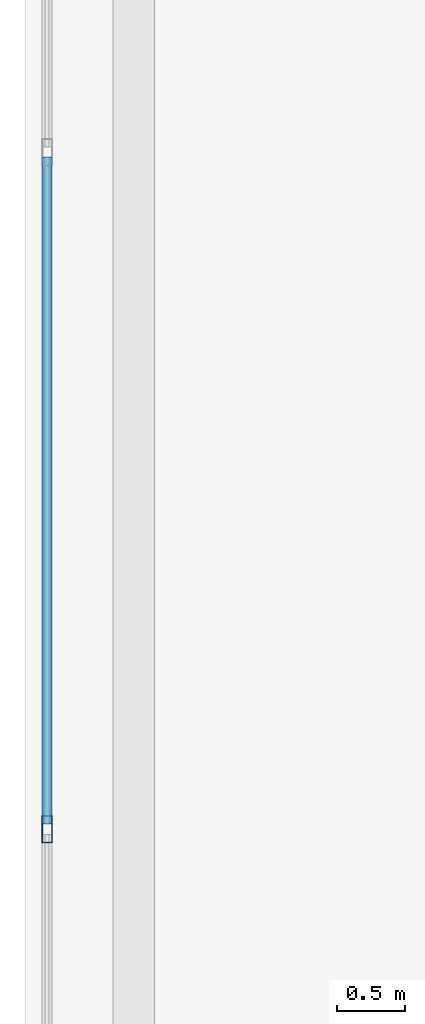
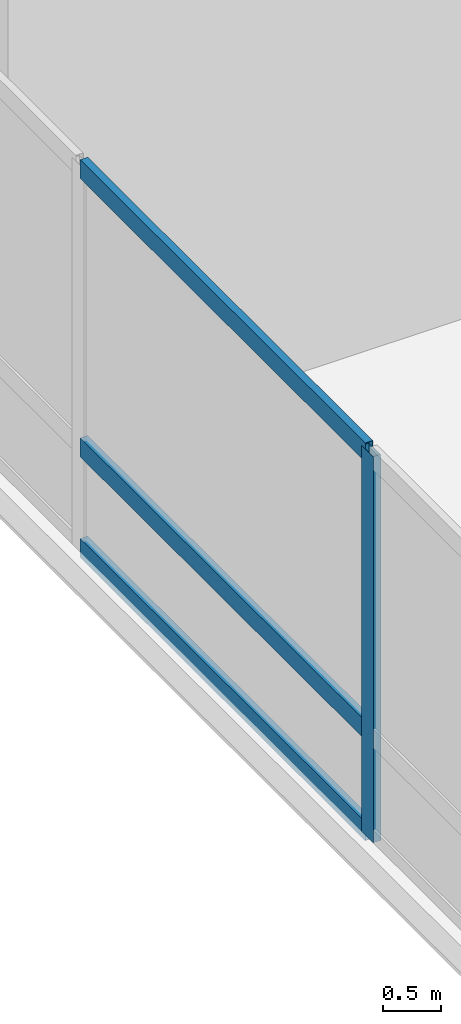
# One storey, part 6 of 40: 4 members, 1 element without a shape of its own.
"""IFC4 building model written with IfcOpenShell, lengths in metres."""

from ifc_helpers import new_model, si_unit, direction, frame, origin, origin_2d, place, context, subcontext, project, spatial, hollow_rectangle, extrude, material, layer, layer_set, material_profile, profile_set, type_object, element, aggregate, save


model = new_model("IFC4")

# Units and contexts
model_context = context("Model", 3, precision=1e-05, world=origin(), true_north=direction((0.0, 1.0)))
body_context = subcontext(model_context, "Body", "Model", "MODEL_VIEW")
ifc_project = project(units=[si_unit("LENGTHUNIT", "METRE"), si_unit("AREAUNIT", "SQUARE_METRE"), si_unit("VOLUMEUNIT", "CUBIC_METRE"), si_unit("PLANEANGLEUNIT", "RADIAN"), si_unit("MASSUNIT", "GRAM", prefix="KILO")], contexts=[model_context])

# Site, building, storey
site_placement = place(None, origin())
site = spatial("IfcSite", under=ifc_project, at=site_placement, CompositionType="ELEMENT")
building_placement = place(site_placement, origin())
building = spatial("IfcBuilding", under=site, at=building_placement, Name="Varnelok Gate Tower", CompositionType="ELEMENT")
storey_placement = place(building_placement, frame((0.0, 0.0, 5.39990234375)))
storey = spatial("IfcBuildingStorey", under=building, at=storey_placement, Name="L01", CompositionType="ELEMENT", Elevation=5.39990234375)

# Curtain wall, members
ifc_material = material(Name="Anodized Aluminum Alloy 6063-T6", Category="aluminium")
ifc_layer = layer(ifc_material, 0.179931640625)
ifc_layer_set = layer_set([ifc_layer], Name="Anodized Aluminum Alloy 6063-T6")
curtain_wall_type = type_object("IfcCurtainWallType", Name="CW1-ARCH-PORTAL", PredefinedType="USERDEFINED", material=ifc_layer_set)
curtain_wall_placement = place(storey_placement, origin())
curtain_wall = element("IfcCurtainWall", 1, at=curtain_wall_placement, inside=storey, type_object=curtain_wall_type, Name="L01 Podium Portal Curtain Wall W", ObjectType="UNITISED CURTAIN WALL", PredefinedType="USERDEFINED")
ifc_material_profile_1 = material_profile(ifc_material, hollow_rectangle(XDim=0.074951171875, YDim=0.199951171875, WallThickness=0.00390625, at=origin_2d()), Name="ALU200X75X4")
ifc_profile_set_1 = profile_set([ifc_material_profile_1], Name="Anodized Aluminum Alloy 6063-T6")
member_type_1 = type_object("IfcMemberType", Name="CW-MULL-200", PredefinedType="MULLION", material=ifc_profile_set_1)
member_1_placement = place(storey_placement, frame((0.159912109375, 20.199951171875, 0.0), z_axis=(0.0, 0.0, 1.0), x_axis=(-1.0, 0.0, 0.0)))
member_1 = element("IfcMember", 2, at=member_1_placement, type_object=member_type_1, Name="CW1 mullion 2", PredefinedType="MULLION", context=body_context, shape_type="SweptSolid", body=[
    extrude(hollow_rectangle(XDim=0.074951171875, YDim=0.199951171875, WallThickness=0.00390625, at=origin_2d()), origin(), (0.0, 0.0, 1.0), 4.070068359375),
])
ifc_material_profile_2 = material_profile(ifc_material, hollow_rectangle(XDim=0.074951171875, YDim=0.199951171875, WallThickness=0.00390625, at=origin_2d()), Name="ALU200X75X4")
ifc_profile_set_2 = profile_set([ifc_material_profile_2], Name="Anodized Aluminum Alloy 6063-T6")
member_type_2 = type_object("IfcMemberType", Name="CW-TRAN-200", PredefinedType="USERDEFINED", material=ifc_profile_set_2)
member_2_placement = place(storey_placement, frame((0.159912109375, 20.237548828125, 0.03759765625), z_axis=(0.0, 1.0, 0.0), x_axis=(-1.0, 0.0, 0.0)))
member_2 = element("IfcMember", 3, at=member_2_placement, type_object=member_type_2, Name="CW1 transom 2.1", ObjectType="TRANSOM", PredefinedType="USERDEFINED", context=body_context, shape_type="SweptSolid", body=[
    extrude(hollow_rectangle(XDim=0.074951171875, YDim=0.199951171875, WallThickness=0.00390625, at=origin_2d()), origin(), (0.0, 0.0, 1.0), 4.925048828125),
])
member_3_placement = place(storey_placement, frame((0.159912109375, 20.237548828125, 1.10009765625), z_axis=(0.0, 1.0, 0.0), x_axis=(-1.0, 0.0, 0.0)))
member_3 = element("IfcMember", 4, at=member_3_placement, type_object=member_type_2, Name="CW1 transom 2.2", ObjectType="TRANSOM", PredefinedType="USERDEFINED", context=body_context, shape_type="SweptSolid", body=[
    extrude(hollow_rectangle(XDim=0.074951171875, YDim=0.199951171875, WallThickness=0.00390625, at=origin_2d()), origin(), (0.0, 0.0, 1.0), 4.925048828125),
])
member_4_placement = place(storey_placement, frame((0.159912109375, 20.237548828125, 4.03271484375), z_axis=(0.0, 1.0, 0.0), x_axis=(-1.0, 0.0, 0.0)))
member_4 = element("IfcMember", 5, at=member_4_placement, type_object=member_type_2, Name="CW1 transom 2.3", ObjectType="TRANSOM", PredefinedType="USERDEFINED", context=body_context, shape_type="SweptSolid", body=[
    extrude(hollow_rectangle(XDim=0.074951171875, YDim=0.199951171875, WallThickness=0.00390625, at=origin_2d()), origin(), (0.0, 0.0, 1.0), 4.925048828125),
])
aggregate(curtain_wall, [member_1, member_2, member_3, member_4])

save(model, "model.ifc")
